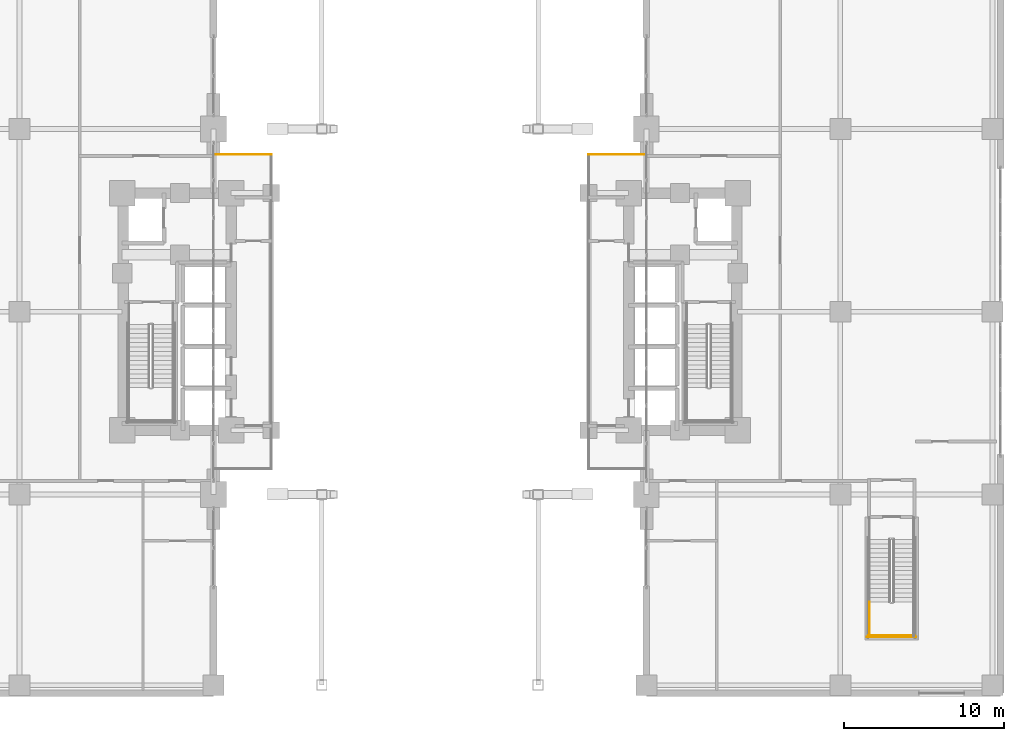
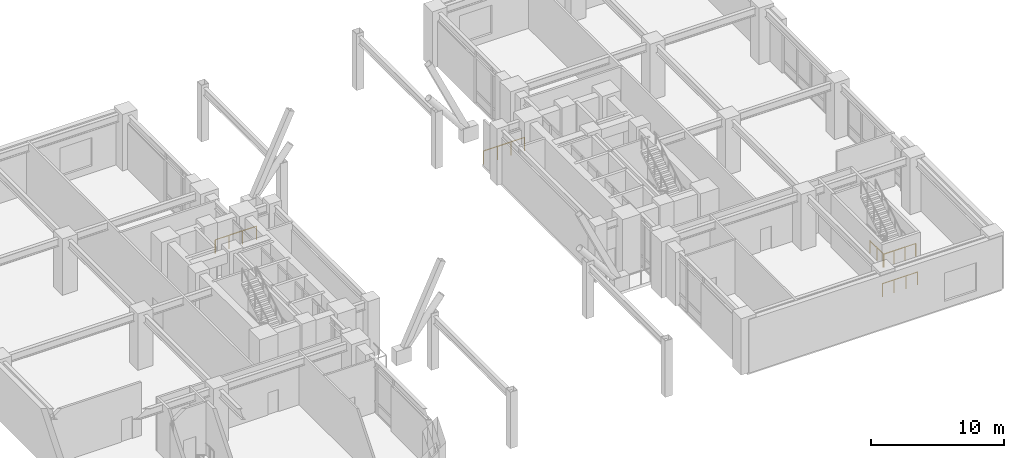
# One storey, part 25 of 26: 5 railings.
"""IFC4 building model written with IfcOpenShell, lengths in metres."""

from ifc_helpers import new_model, si_unit, direction, frame, origin, origin_2d, place, context, subcontext, project, spatial, circle, extrude, material, type_object, element, save


model = new_model("IFC4")

# Units and contexts
model_context = context("Model", 3, precision=1e-05, world=origin(), true_north=direction((0.0, 1.0)))
body_context = subcontext(model_context, "Body", "Model", "MODEL_VIEW")
ifc_project = project(units=[si_unit("LENGTHUNIT", "METRE"), si_unit("AREAUNIT", "SQUARE_METRE"), si_unit("VOLUMEUNIT", "CUBIC_METRE"), si_unit("PLANEANGLEUNIT", "RADIAN"), si_unit("MASSUNIT", "GRAM", prefix="KILO")], contexts=[model_context])

# Site, building, storey
site_placement = place(None, origin())
site = spatial("IfcSite", under=ifc_project, at=site_placement, CompositionType="ELEMENT")
building_placement = place(site_placement, origin())
building = spatial("IfcBuilding", under=site, at=building_placement, Name="Voryun Gate Residences", CompositionType="ELEMENT")
storey_placement = place(building_placement, frame((0.0, 0.0, 10.39990234375)))
storey = spatial("IfcBuildingStorey", under=building, at=storey_placement, Name="L02", CompositionType="ELEMENT", Elevation=10.39990234375)

# Railings
ifc_material_1 = material(Name="Painted steel", Category="steel")
railing_type_1 = type_object("IfcRailingType", Name="RAIL_STAIR_GUARD_1200", PredefinedType="GUARDRAIL", material=ifc_material_1)
railing_1_placement = place(storey_placement, frame((27.425048828125, -18.1201171875, 2.60009765625)))
element("IfcRailing", 1, at=railing_1_placement, inside=storey, type_object=railing_type_1, Name="L02 ST-P2 stair guard 3", PredefinedType="GUARDRAIL", context=body_context, shape_type="SweptSolid", body=[
    extrude(circle(Radius=0.02392578125, at=origin_2d()), frame((0.0, 0.0, 1.17578125), z_axis=(0.0, -1.0, 0.0), x_axis=(1.0, 0.0, 0.0)), (0.0, 0.0, 1.0), 2.1298828125),
    extrude(circle(Radius=0.02099609375, at=origin_2d()), origin(), (0.0, 0.0, 1.0), 1.15185546875),
    extrude(circle(Radius=0.02099609375, at=origin_2d()), frame((0.0, -1.06494140625, 0.0)), (0.0, 0.0, 1.0), 1.15185546875),
    extrude(circle(Radius=0.02099609375, at=origin_2d()), frame((0.0, -2.1298828125, 0.0)), (0.0, 0.0, 1.0), 1.15185546875),
])
railing_2_placement = place(storey_placement, frame((27.375, -20.199951171875, 2.60009765625)))
element("IfcRailing", 2, at=railing_2_placement, inside=storey, type_object=railing_type_1, Name="L02 ST-P2 stair guard 5", PredefinedType="GUARDRAIL", context=body_context, shape_type="SweptSolid", body=[
    extrude(circle(Radius=0.02392578125, at=origin_2d()), frame((0.0, 0.0, 1.17578125), z_axis=(1.0, 0.0, 0.0), x_axis=(0.0, 1.0, 0.0)), (0.0, 0.0, 1.0), 2.85009765625),
    extrude(circle(Radius=0.02099609375, at=origin_2d()), origin(), (0.0, 0.0, 1.0), 1.15185546875),
    extrude(circle(Radius=0.02099609375, at=origin_2d()), frame((0.949951171875, 0.0, 0.0)), (0.0, 0.0, 1.0), 1.15185546875),
    extrude(circle(Radius=0.02099609375, at=origin_2d()), frame((1.900146484375, 0.0, 0.0)), (0.0, 0.0, 1.0), 1.15185546875),
    extrude(circle(Radius=0.02099609375, at=origin_2d()), frame((2.85009765625, 0.0, 0.0)), (0.0, 0.0, 1.0), 1.15185546875),
])
railing_3_placement = place(storey_placement, frame((27.27490234375, -20.300048828125, 0.0)))
element("IfcRailing", 3, at=railing_3_placement, inside=storey, type_object=railing_type_1, Name="L02 ST-P2 stair guard 12", PredefinedType="GUARDRAIL", context=body_context, shape_type="SweptSolid", body=[
    extrude(circle(Radius=0.02392578125, at=origin_2d()), frame((0.0, 0.0, 1.17578125), z_axis=(1.0, 0.0, 0.0), x_axis=(0.0, 1.0, 0.0)), (0.0, 0.0, 1.0), 3.050048828125),
    extrude(circle(Radius=0.02099609375, at=origin_2d()), origin(), (0.0, 0.0, 1.0), 1.15185546875),
    extrude(circle(Radius=0.02099609375, at=origin_2d()), frame((1.0166015625, 0.0, 0.0)), (0.0, 0.0, 1.0), 1.15185546875),
    extrude(circle(Radius=0.02099609375, at=origin_2d()), frame((2.033447265625, 0.0, 0.0)), (0.0, 0.0, 1.0), 1.15185546875),
    extrude(circle(Radius=0.02099609375, at=origin_2d()), frame((3.050048828125, 0.0, 0.0)), (0.0, 0.0, 1.0), 1.15185546875),
])
ifc_material_2 = material(Name="Anodised aluminium", Category="aluminium")
railing_type_2 = type_object("IfcRailingType", Name="RAIL_TERRACE_GUARD_1250", PredefinedType="GUARDRAIL", material=ifc_material_2)
railing_4_placement = place(storey_placement, frame((-9.89990234375, 9.800048828125, 0.0)))
element("IfcRailing", 4, at=railing_4_placement, inside=storey, type_object=railing_type_2, Name="Terrace guard RL-L02-ARCH-W-03", PredefinedType="GUARDRAIL", context=body_context, shape_type="SweptSolid", body=[
    extrude(circle(Radius=0.02392578125, at=origin_2d()), frame((0.0, 0.0, 1.22607421875), z_axis=(-1.0, 0.0, 0.0), x_axis=(0.0, -1.0, 0.0)), (0.0, 0.0, 1.0), 3.580078125),
    extrude(circle(Radius=0.02099609375, at=origin_2d()), origin(), (0.0, 0.0, 1.0), 1.201904296875),
    extrude(circle(Radius=0.02099609375, at=origin_2d()), frame((-1.193359375, 0.0, 0.0)), (0.0, 0.0, 1.0), 1.201904296875),
    extrude(circle(Radius=0.02099609375, at=origin_2d()), frame((-2.38671875, 0.0, 0.0)), (0.0, 0.0, 1.0), 1.201904296875),
    extrude(circle(Radius=0.02099609375, at=origin_2d()), frame((-3.580078125, 0.0, 0.0)), (0.0, 0.0, 1.0), 1.201904296875),
])
railing_5_placement = place(storey_placement, frame((9.89990234375, 9.800048828125, 0.0)))
element("IfcRailing", 5, at=railing_5_placement, inside=storey, type_object=railing_type_2, Name="Terrace guard RL-L02-ARCH-E-03", PredefinedType="GUARDRAIL", context=body_context, shape_type="SweptSolid", body=[
    extrude(circle(Radius=0.02392578125, at=origin_2d()), frame((0.0, 0.0, 1.22607421875), z_axis=(1.0, 0.0, 0.0), x_axis=(0.0, 1.0, 0.0)), (0.0, 0.0, 1.0), 3.580078125),
    extrude(circle(Radius=0.02099609375, at=origin_2d()), origin(), (0.0, 0.0, 1.0), 1.201904296875),
    extrude(circle(Radius=0.02099609375, at=origin_2d()), frame((1.193359375, 0.0, 0.0)), (0.0, 0.0, 1.0), 1.201904296875),
    extrude(circle(Radius=0.02099609375, at=origin_2d()), frame((2.38671875, 0.0, 0.0)), (0.0, 0.0, 1.0), 1.201904296875),
    extrude(circle(Radius=0.02099609375, at=origin_2d()), frame((3.580078125, 0.0, 0.0)), (0.0, 0.0, 1.0), 1.201904296875),
])

save(model, "model.ifc")
